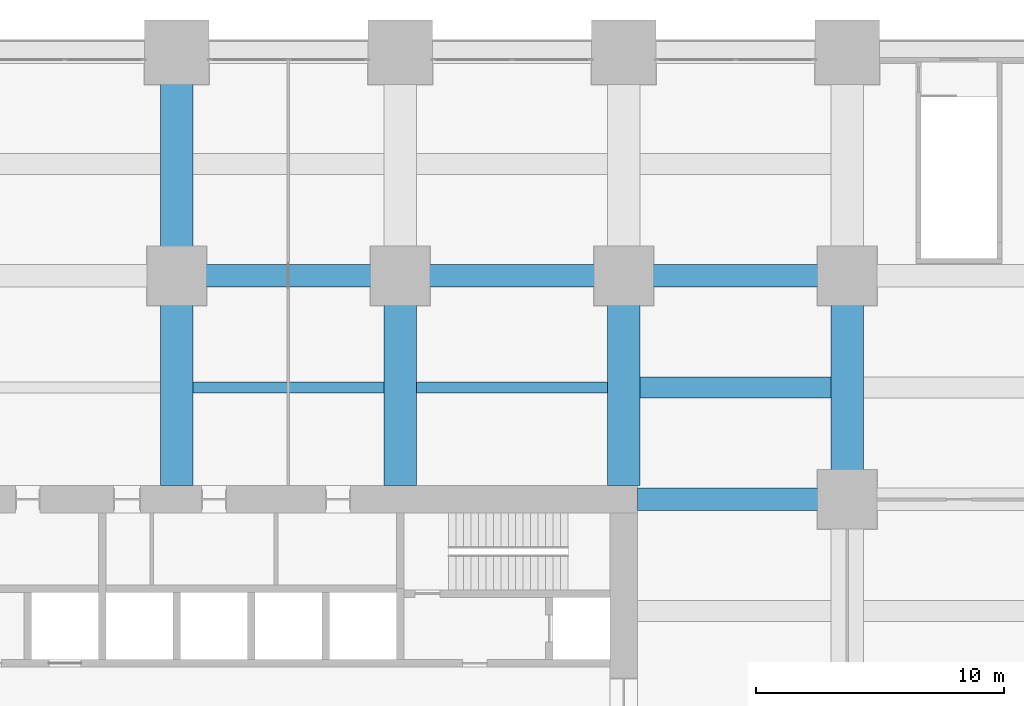
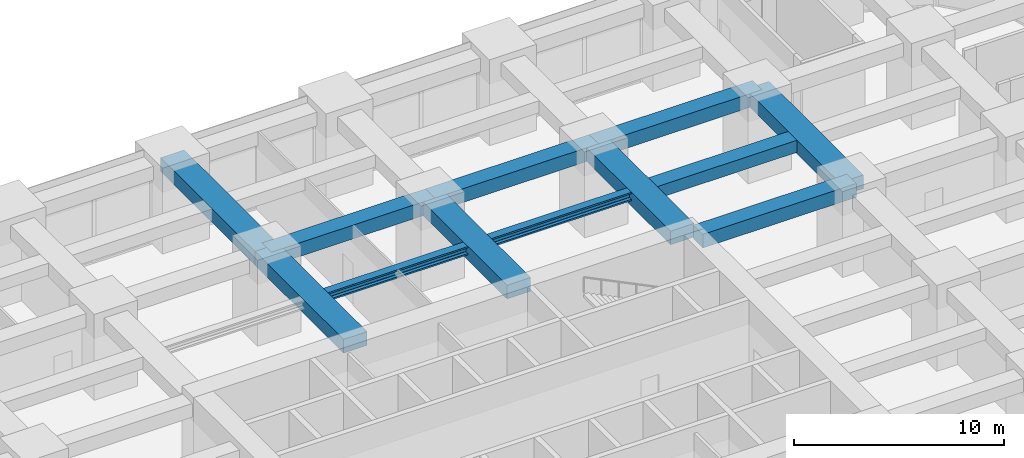
# One storey, part 26 of 46: 12 beams.
"""IFC4 building model written with IfcOpenShell, lengths in metres."""

from ifc_helpers import new_model, si_unit, direction, frame, origin, origin_2d, place, context, subcontext, project, spatial, rectangle, i_section, extrude, material, material_profile, profile_set, type_object, element, save


model = new_model("IFC4")

# Units and contexts
model_context = context("Model", 3, precision=1e-05, world=origin(), true_north=direction((0.0, 1.0)))
body_context = subcontext(model_context, "Body", "Model", "MODEL_VIEW")
ifc_project = project(units=[si_unit("LENGTHUNIT", "METRE"), si_unit("AREAUNIT", "SQUARE_METRE"), si_unit("VOLUMEUNIT", "CUBIC_METRE"), si_unit("PLANEANGLEUNIT", "RADIAN"), si_unit("MASSUNIT", "GRAM", prefix="KILO")], contexts=[model_context])

# Site, building, storey
site_placement = place(None, origin())
site = spatial("IfcSite", under=ifc_project, at=site_placement, CompositionType="ELEMENT")
building_placement = place(site_placement, origin())
building = spatial("IfcBuilding", under=site, at=building_placement, Name="Zorevar Civic Tower", CompositionType="ELEMENT")
storey_placement = place(building_placement, frame((0.0, 0.0, 10.800048828125)))
storey = spatial("IfcBuildingStorey", under=building, at=storey_placement, Name="L02", CompositionType="ELEMENT", Elevation=10.800048828125)

# Beams
ifc_material_1 = material(Name="Concrete C50/60", Category="concrete")
ifc_material_profile_1 = material_profile(ifc_material_1, rectangle(XDim=1.300048828125, YDim=0.800048828125, at=origin_2d()), Name="RC 1300x800")
ifc_profile_set_1 = profile_set([ifc_material_profile_1], Name="Concrete C50/60")
beam_type_1 = type_object("IfcBeamType", Name="Beam RC 1300x800", PredefinedType="BEAM", material=ifc_profile_set_1)
beam_1_placement = place(storey_placement, frame((27.0, 36.550048828125, 4.199951171875), z_axis=(0.0, 1.0, 0.0), x_axis=(-1.0, 0.0, 0.0)))
element("IfcBeam", 1, at=beam_1_placement, inside=storey, type_object=beam_type_1, Name="Girder L03", PredefinedType="BEAM", context=body_context, shape_type="SweptSolid", body=[
    extrude(rectangle(XDim=1.300048828125, YDim=0.800048828125, at=origin_2d()), origin(), (0.0, 0.0, 1.0), 8.449951171875),
])
beam_2_placement = place(storey_placement, frame((27.0, 45.0, 4.199951171875), z_axis=(0.0, 1.0, 0.0), x_axis=(-1.0, 0.0, 0.0)))
element("IfcBeam", 2, at=beam_2_placement, inside=storey, type_object=beam_type_1, Name="Girder L03", PredefinedType="BEAM", context=body_context, shape_type="SweptSolid", body=[
    extrude(rectangle(XDim=1.300048828125, YDim=0.800048828125, at=origin_2d()), origin(), (0.0, 0.0, 1.0), 9.0),
])
for number, where, z_axis, x_axis, name in (
    (3, (36.0, 36.550048828125, 4.199951171875), (0.0, 1.0, 0.0), (-1.0, 0.0, 0.0), "Girder L03"),
    (4, (45.0, 36.550048828125, 4.199951171875), (0.0, 1.0, 0.0), (-1.0, 0.0, 0.0), "Girder L03"),
):
    element("IfcBeam", number, at=place(storey_placement, frame(where, z_axis=z_axis, x_axis=x_axis)), inside=storey, type_object=beam_type_1, Name=name, PredefinedType="BEAM", context=body_context, shape_type="SweptSolid", body=[
        extrude(rectangle(XDim=1.300048828125, YDim=0.800048828125, at=origin_2d()), origin(), (0.0, 0.0, 1.0), 8.449951171875),
    ])
beam_3_placement = place(storey_placement, frame((54.0, 36.0, 4.199951171875), z_axis=(0.0, 1.0, 0.0), x_axis=(-1.0, 0.0, 0.0)))
element("IfcBeam", 5, at=beam_3_placement, inside=storey, type_object=beam_type_1, Name="Girder L03", PredefinedType="BEAM", context=body_context, shape_type="SweptSolid", body=[
    extrude(rectangle(XDim=1.300048828125, YDim=0.800048828125, at=origin_2d()), origin(), (0.0, 0.0, 1.0), 9.0),
])
ifc_material_2 = material(Name="Concrete C50/60", Category="concrete")
ifc_material_profile_2 = material_profile(ifc_material_2, rectangle(XDim=0.85009765625, YDim=0.699951171875, at=origin_2d()), Name="RC 850x700")
ifc_profile_set_2 = profile_set([ifc_material_profile_2], Name="Concrete C50/60")
beam_type_2 = type_object("IfcBeamType", Name="Beam RC 850x700", PredefinedType="BEAM", material=ifc_profile_set_2)
beam_4_placement = place(storey_placement, frame((45.64990234375, 40.5, 4.25), z_axis=(1.0, 0.0, 0.0), x_axis=(0.0, 1.0, 0.0)))
element("IfcBeam", 6, at=beam_4_placement, inside=storey, type_object=beam_type_2, Name="Secondary beam L03", PredefinedType="BEAM", context=body_context, shape_type="SweptSolid", body=[
    extrude(rectangle(XDim=0.85009765625, YDim=0.699951171875, at=origin_2d()), origin(), (0.0, 0.0, 1.0), 7.7001953125),
])
ifc_material_3 = material(Name="Concrete C50/60", Category="concrete")
ifc_material_profile_3 = material_profile(ifc_material_3, rectangle(XDim=0.89990234375, YDim=0.800048828125, at=origin_2d()), Name="RC 900x800")
ifc_profile_set_3 = profile_set([ifc_material_profile_3], Name="Concrete C50/60")
beam_type_3 = type_object("IfcBeamType", Name="Beam RC 900x800", PredefinedType="BEAM", material=ifc_profile_set_3)
beam_5_placement = place(storey_placement, frame((45.550048828125, 36.0, 4.199951171875), z_axis=(1.0, 0.0, 0.0), x_axis=(0.0, 1.0, 0.0)))
element("IfcBeam", 7, at=beam_5_placement, inside=storey, type_object=beam_type_3, Name="Girder L03", PredefinedType="BEAM", context=body_context, shape_type="SweptSolid", body=[
    extrude(rectangle(XDim=0.89990234375, YDim=0.800048828125, at=origin_2d()), origin(), (0.0, 0.0, 1.0), 8.449951171875),
])
for number, where, z_axis, x_axis, name in (
    (8, (27.0, 45.0, 4.199951171875), (1.0, 0.0, 0.0), (0.0, 1.0, 0.0), "Girder L03"),
    (9, (36.0, 45.0, 4.199951171875), (1.0, 0.0, 0.0), (0.0, 1.0, 0.0), "Girder L03"),
    (10, (45.0, 45.0, 4.199951171875), (1.0, 0.0, 0.0), (0.0, 1.0, 0.0), "Girder L03"),
):
    element("IfcBeam", number, at=place(storey_placement, frame(where, z_axis=z_axis, x_axis=x_axis)), inside=storey, type_object=beam_type_3, Name=name, PredefinedType="BEAM", context=body_context, shape_type="SweptSolid", body=[
        extrude(rectangle(XDim=0.89990234375, YDim=0.800048828125, at=origin_2d()), origin(), (0.0, 0.0, 1.0), 9.0),
    ])
ifc_material_4 = material(Name="Steel S460M (HISTAR 460)", Category="steel")
ifc_material_profile_4 = material_profile(ifc_material_4, i_section(OverallWidth=0.431884765625, OverallDepth=0.498046875, WebThickness=0.0556640625, FlangeThickness=0.0888671875, FilletRadius=0.014892578125, at=origin_2d()), Name="HD 400x744")
ifc_profile_set_4 = profile_set([ifc_material_profile_4], Name="Steel S460M (HISTAR 460)")
beam_type_4 = type_object("IfcBeamType", Name="Core bay beam HD 400x744", PredefinedType="BEAM", material=ifc_profile_set_4)
for number, where, z_axis, x_axis, name in (
    (11, (27.64990234375, 40.5, 4.350830078125), (1.0, 0.0, 0.0), (0.0, 1.0, 0.0), "Secondary beam L03"),
    (12, (36.64990234375, 40.5, 4.350830078125), (1.0, 0.0, 0.0), (0.0, 1.0, 0.0), "Secondary beam L03"),
):
    element("IfcBeam", number, at=place(storey_placement, frame(where, z_axis=z_axis, x_axis=x_axis)), inside=storey, type_object=beam_type_4, Name=name, PredefinedType="BEAM", context=body_context, shape_type="SweptSolid", body=[
        extrude(i_section(OverallWidth=0.431884765625, OverallDepth=0.498046875, WebThickness=0.0556640625, FlangeThickness=0.0888671875, FilletRadius=0.014892578125, at=origin_2d()), origin(), (0.0, 0.0, 1.0), 7.7001953125),
    ])

save(model, "model.ifc")
